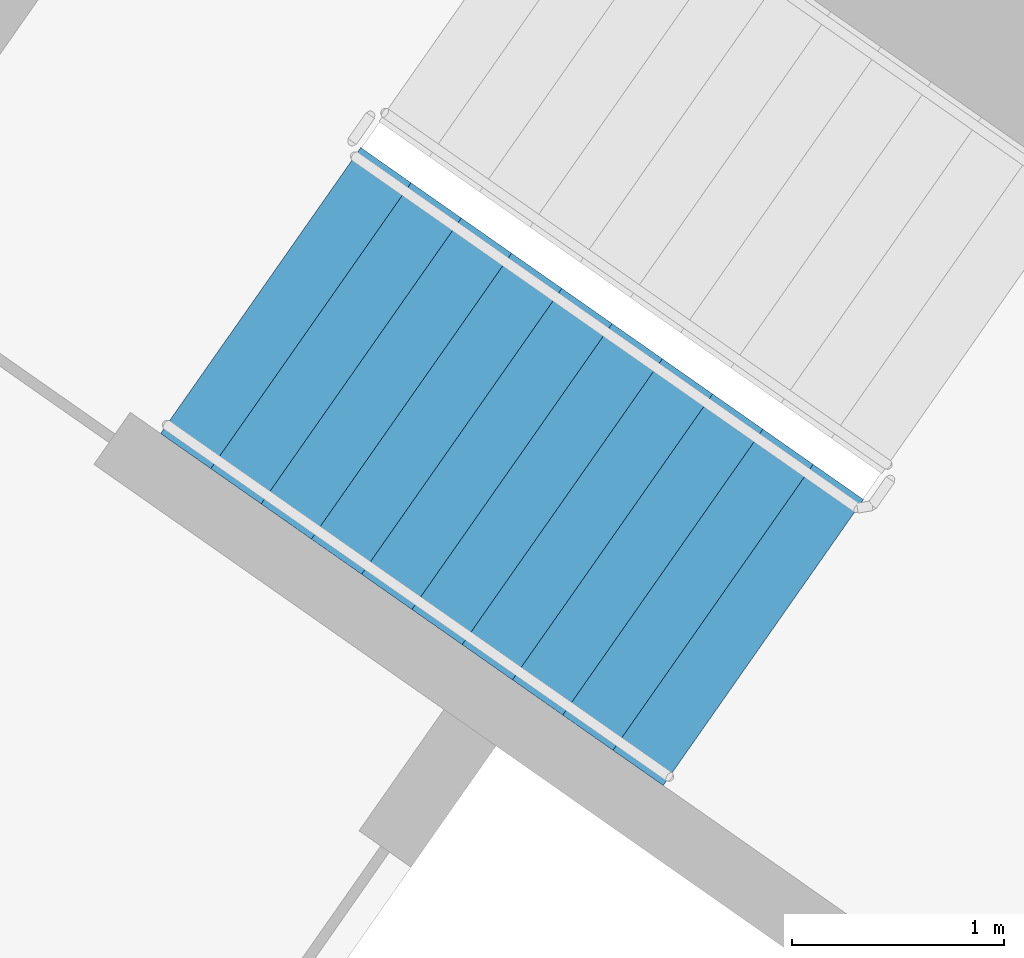
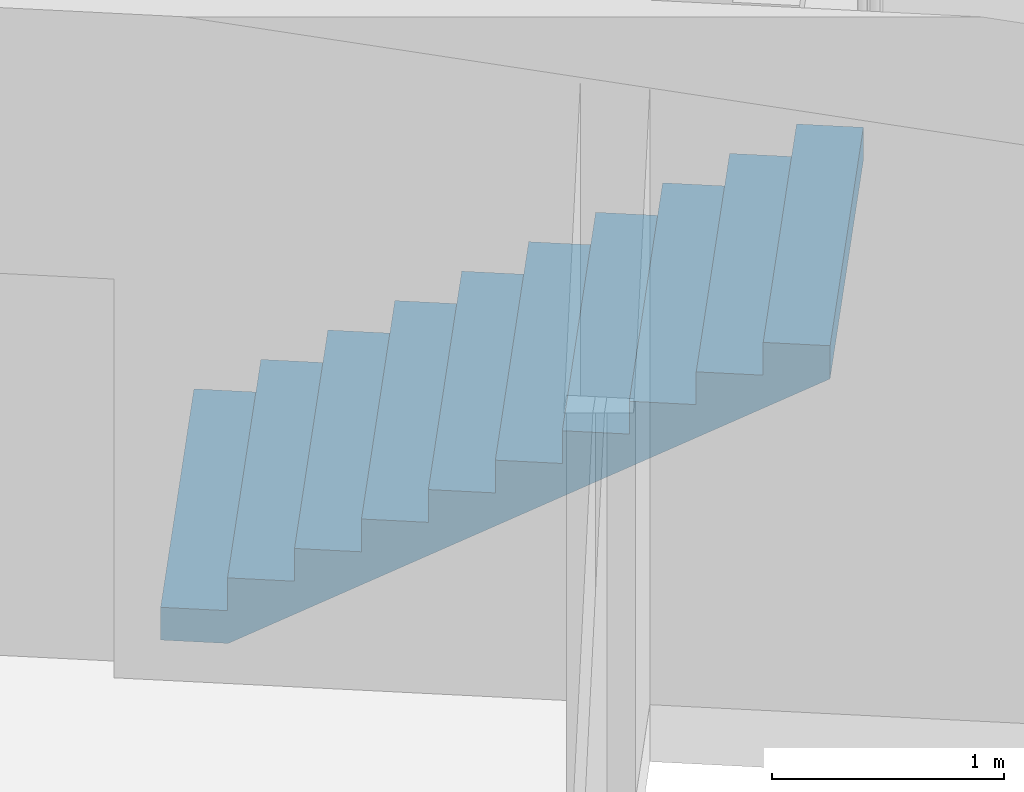
# One storey, part 11 of 28: 1 stair flight, 1 element without a shape of its own.
"""IFC4 building model written with IfcOpenShell, lengths in metres."""

from ifc_helpers import new_model, si_unit, direction, frame, origin, place, context, subcontext, project, spatial, faceted_brep, material, type_object, element, aggregate, save


model = new_model("IFC4")

# Units and contexts
model_context = context("Model", 3, precision=1e-05, world=origin(), true_north=direction((0.0, 1.0)))
body_context = subcontext(model_context, "Body", "Model", "MODEL_VIEW")
ifc_project = project(units=[si_unit("LENGTHUNIT", "METRE"), si_unit("AREAUNIT", "SQUARE_METRE"), si_unit("VOLUMEUNIT", "CUBIC_METRE"), si_unit("PLANEANGLEUNIT", "RADIAN"), si_unit("MASSUNIT", "GRAM", prefix="KILO")], contexts=[model_context])

# Site, building, storey
site_placement = place(None, origin())
site = spatial("IfcSite", under=ifc_project, at=site_placement, CompositionType="ELEMENT")
building_placement = place(site_placement, origin())
building = spatial("IfcBuilding", under=site, at=building_placement, Name="Qamariyya Broadcast Tower", CompositionType="ELEMENT")
storey_placement = place(building_placement, frame((0.0, 0.0, 245.5)))
storey = spatial("IfcBuildingStorey", under=building, at=storey_placement, Name="L59", CompositionType="ELEMENT", Elevation=245.5)

# Stair, stair flight
ifc_material = material(Name="Concrete C50/60", Category="concrete")
stair_type = type_object("IfcStairType", Name="Exit stair 22 risers of 173 mm", PredefinedType="HALF_TURN_STAIR", material=ifc_material)
stair_placement = place(storey_placement, origin())
stair = element("IfcStair", 1, at=stair_placement, inside=storey, type_object=stair_type, Name="L59 Stair W2", PredefinedType="HALF_TURN_STAIR")
stair_flight_type = type_object("IfcStairFlightType", Name="Exit stair flight 11 risers of 173 mm", PredefinedType="STRAIGHT", material=ifc_material)
stair_flight_placement = place(storey_placement, frame((-41.59130859375, -49.15966796875, 0.0), z_axis=(0.0, 0.0, 1.0), x_axis=(0.819152044289, -0.573576436351, 0.0)))
stair_flight = element("IfcStairFlight", 2, at=stair_flight_placement, type_object=stair_flight_type, Name="ST-W2 flight 1", NumberOfRisers=11, NumberOfTreads=10, PredefinedType="STRAIGHT", RiserHeight=0.172727273, TreadLength=0.29, context=body_context, shape_type="Brep", body=[
    faceted_brep([(0.0, 0.824951171875, 0.0), (0.0, 0.824951171875, 0.172607421875), (0.2900390625, 0.824951171875, 0.172607421875), (0.2900390625, 0.824951171875, 0.345458984375), (0.580078125, 0.824951171875, 0.345458984375), (0.580078125, 0.824951171875, 0.51806640625), (0.8701171875, 0.824951171875, 0.51806640625), (0.8701171875, 0.824951171875, 0.69091796875), (1.159912109375, 0.824951171875, 0.69091796875), (1.159912109375, 0.824951171875, 0.863525390625), (1.449951171875, 0.824951171875, 0.863525390625), (1.449951171875, 0.824951171875, 1.036376953125), (1.739990234375, 0.824951171875, 1.036376953125), (1.739990234375, 0.824951171875, 1.208984375), (2.030029296875, 0.824951171875, 1.208984375), (2.030029296875, 0.824951171875, 1.3818359375), (2.320068359375, 0.824951171875, 1.3818359375), (2.320068359375, 0.824951171875, 1.554443359375), (2.610107421875, 0.824951171875, 1.554443359375), (2.610107421875, 0.824951171875, 1.727294921875), (2.89990234375, 0.824951171875, 1.727294921875), (2.89990234375, 0.824951171875, 1.552734375), (0.29296875, 0.824951171875, 0.0), (0.29296875, -0.824951171875, 0.0), (2.89990234375, -0.824951171875, 1.552734375), (2.89990234375, -0.824951171875, 1.727294921875), (2.610107421875, -0.824951171875, 1.727294921875), (2.610107421875, -0.824951171875, 1.554443359375), (2.320068359375, -0.824951171875, 1.554443359375), (2.320068359375, -0.824951171875, 1.3818359375), (2.030029296875, -0.824951171875, 1.3818359375), (2.030029296875, -0.824951171875, 1.208984375), (1.739990234375, -0.824951171875, 1.208984375), (1.739990234375, -0.824951171875, 1.036376953125), (1.449951171875, -0.824951171875, 1.036376953125), (1.449951171875, -0.824951171875, 0.863525390625), (1.159912109375, -0.824951171875, 0.863525390625), (1.159912109375, -0.824951171875, 0.69091796875), (0.8701171875, -0.824951171875, 0.69091796875), (0.8701171875, -0.824951171875, 0.51806640625), (0.580078125, -0.824951171875, 0.51806640625), (0.580078125, -0.824951171875, 0.345458984375), (0.2900390625, -0.824951171875, 0.345458984375), (0.2900390625, -0.824951171875, 0.172607421875), (0.0, -0.824951171875, 0.172607421875), (0.0, -0.824951171875, 0.0), (0.0, 0.10009765625, 0.0), (0.0, 0.086669921875, 0.0), (0.0, 0.0732421875, 0.0), (0.0, 0.06005859375, 0.0), (0.0, 0.046630859375, 0.0), (0.0, 0.033447265625, 0.0), (0.0, 0.02001953125, 0.0), (0.0, 0.006591796875, 0.0), (0.0, -0.006591796875, 0.0), (0.0, -0.02001953125, 0.0), (0.0, -0.033447265625, 0.0), (0.0, -0.046630859375, 0.0), (0.0, -0.06005859375, 0.0), (0.0, -0.0732421875, 0.0), (0.0, -0.086669921875, 0.0), (0.0, -0.10009765625, 0.0), (0.0, -0.10009765625, 0.172607421875), (0.0, -0.086669921875, 0.172607421875), (0.0, -0.0732421875, 0.172607421875), (0.0, -0.06005859375, 0.172607421875), (0.0, -0.046630859375, 0.172607421875), (0.0, -0.033447265625, 0.172607421875), (0.0, -0.02001953125, 0.172607421875), (0.0, -0.006591796875, 0.172607421875), (0.0, 0.006591796875, 0.172607421875), (0.0, 0.02001953125, 0.172607421875), (0.0, 0.033447265625, 0.172607421875), (0.0, 0.046630859375, 0.172607421875), (0.0, 0.06005859375, 0.172607421875), (0.0, 0.0732421875, 0.172607421875), (0.0, 0.086669921875, 0.172607421875), (0.0, 0.10009765625, 0.172607421875), (0.2900390625, -0.10009765625, 0.172607421875), (0.2900390625, -0.086669921875, 0.172607421875), (0.2900390625, -0.0732421875, 0.172607421875), (0.2900390625, -0.06005859375, 0.172607421875), (0.2900390625, -0.046630859375, 0.172607421875), (0.2900390625, -0.033447265625, 0.172607421875), (0.2900390625, -0.02001953125, 0.172607421875), (0.2900390625, -0.006591796875, 0.172607421875), (0.2900390625, 0.006591796875, 0.172607421875), (0.2900390625, 0.02001953125, 0.172607421875), (0.2900390625, 0.033447265625, 0.172607421875), (0.2900390625, 0.046630859375, 0.172607421875), (0.2900390625, 0.06005859375, 0.172607421875), (0.2900390625, 0.0732421875, 0.172607421875), (0.2900390625, 0.086669921875, 0.172607421875), (0.2900390625, 0.10009765625, 0.172607421875), (0.2900390625, -0.10009765625, 0.345458984375), (0.2900390625, -0.086669921875, 0.345458984375), (0.2900390625, -0.0732421875, 0.345458984375), (0.2900390625, -0.06005859375, 0.345458984375), (0.2900390625, -0.046630859375, 0.345458984375), (0.2900390625, -0.033447265625, 0.345458984375), (0.2900390625, -0.02001953125, 0.345458984375), (0.2900390625, -0.006591796875, 0.345458984375), (0.2900390625, 0.006591796875, 0.345458984375), (0.2900390625, 0.02001953125, 0.345458984375), (0.2900390625, 0.033447265625, 0.345458984375), (0.2900390625, 0.046630859375, 0.345458984375), (0.2900390625, 0.06005859375, 0.345458984375), (0.2900390625, 0.0732421875, 0.345458984375), (0.2900390625, 0.086669921875, 0.345458984375), (0.2900390625, 0.10009765625, 0.345458984375), (0.580078125, -0.10009765625, 0.345458984375), (0.580078125, -0.086669921875, 0.345458984375), (0.580078125, -0.0732421875, 0.345458984375), (0.580078125, -0.06005859375, 0.345458984375), (0.580078125, -0.046630859375, 0.345458984375), (0.580078125, -0.033447265625, 0.345458984375), (0.580078125, -0.02001953125, 0.345458984375), (0.580078125, -0.006591796875, 0.345458984375), (0.580078125, 0.006591796875, 0.345458984375), (0.580078125, 0.02001953125, 0.345458984375), (0.580078125, 0.033447265625, 0.345458984375), (0.580078125, 0.046630859375, 0.345458984375), (0.580078125, 0.06005859375, 0.345458984375), (0.580078125, 0.0732421875, 0.345458984375), (0.580078125, 0.086669921875, 0.345458984375), (0.580078125, 0.10009765625, 0.345458984375), (0.580078125, -0.10009765625, 0.51806640625), (0.580078125, -0.086669921875, 0.51806640625), (0.580078125, -0.0732421875, 0.51806640625), (0.580078125, -0.06005859375, 0.51806640625), (0.580078125, -0.046630859375, 0.51806640625), (0.580078125, -0.033447265625, 0.51806640625), (0.580078125, -0.02001953125, 0.51806640625), (0.580078125, -0.006591796875, 0.51806640625), (0.580078125, 0.006591796875, 0.51806640625), (0.580078125, 0.02001953125, 0.51806640625), (0.580078125, 0.033447265625, 0.51806640625), (0.580078125, 0.046630859375, 0.51806640625), (0.580078125, 0.06005859375, 0.51806640625), (0.580078125, 0.0732421875, 0.51806640625), (0.580078125, 0.086669921875, 0.51806640625), (0.580078125, 0.10009765625, 0.51806640625), (0.8701171875, -0.10009765625, 0.51806640625), (0.8701171875, -0.086669921875, 0.51806640625), (0.8701171875, -0.0732421875, 0.51806640625), (0.8701171875, -0.06005859375, 0.51806640625), (0.8701171875, -0.046630859375, 0.51806640625), (0.8701171875, -0.033447265625, 0.51806640625), (0.8701171875, -0.02001953125, 0.51806640625), (0.8701171875, -0.006591796875, 0.51806640625), (0.8701171875, 0.006591796875, 0.51806640625), (0.8701171875, 0.02001953125, 0.51806640625), (0.8701171875, 0.033447265625, 0.51806640625), (0.8701171875, 0.046630859375, 0.51806640625), (0.8701171875, 0.06005859375, 0.51806640625), (0.8701171875, 0.0732421875, 0.51806640625), (0.8701171875, 0.086669921875, 0.51806640625), (0.8701171875, 0.10009765625, 0.51806640625), (0.8701171875, -0.10009765625, 0.69091796875), (0.8701171875, -0.086669921875, 0.69091796875), (0.8701171875, -0.0732421875, 0.69091796875), (0.8701171875, -0.06005859375, 0.69091796875), (0.8701171875, -0.046630859375, 0.69091796875), (0.8701171875, -0.033447265625, 0.69091796875), (0.8701171875, -0.02001953125, 0.69091796875), (0.8701171875, -0.006591796875, 0.69091796875), (0.8701171875, 0.006591796875, 0.69091796875), (0.8701171875, 0.02001953125, 0.69091796875), (0.8701171875, 0.033447265625, 0.69091796875), (0.8701171875, 0.046630859375, 0.69091796875), (0.8701171875, 0.06005859375, 0.69091796875), (0.8701171875, 0.0732421875, 0.69091796875), (0.8701171875, 0.086669921875, 0.69091796875), (0.8701171875, 0.10009765625, 0.69091796875), (1.159912109375, -0.10009765625, 0.69091796875), (1.159912109375, -0.086669921875, 0.69091796875), (1.159912109375, -0.0732421875, 0.69091796875), (1.159912109375, -0.06005859375, 0.69091796875), (1.159912109375, -0.046630859375, 0.69091796875), (1.159912109375, -0.033447265625, 0.69091796875), (1.159912109375, -0.02001953125, 0.69091796875), (1.159912109375, -0.006591796875, 0.69091796875), (1.159912109375, 0.006591796875, 0.69091796875), (1.159912109375, 0.02001953125, 0.69091796875), (1.159912109375, 0.033447265625, 0.69091796875), (1.159912109375, 0.046630859375, 0.69091796875), (1.159912109375, 0.06005859375, 0.69091796875), (1.159912109375, 0.0732421875, 0.69091796875), (1.159912109375, 0.086669921875, 0.69091796875), (1.159912109375, 0.10009765625, 0.69091796875), (1.159912109375, -0.10009765625, 0.863525390625), (1.159912109375, -0.086669921875, 0.863525390625), (1.159912109375, -0.0732421875, 0.863525390625), (1.159912109375, -0.06005859375, 0.863525390625), (1.159912109375, -0.046630859375, 0.863525390625), (1.159912109375, -0.033447265625, 0.863525390625), (1.159912109375, -0.02001953125, 0.863525390625), (1.159912109375, -0.006591796875, 0.863525390625), (1.159912109375, 0.006591796875, 0.863525390625), (1.159912109375, 0.02001953125, 0.863525390625), (1.159912109375, 0.033447265625, 0.863525390625), (1.159912109375, 0.046630859375, 0.863525390625), (1.159912109375, 0.06005859375, 0.863525390625), (1.159912109375, 0.0732421875, 0.863525390625), (1.159912109375, 0.086669921875, 0.863525390625), (1.159912109375, 0.10009765625, 0.863525390625), (1.449951171875, -0.10009765625, 0.863525390625), (1.449951171875, -0.086669921875, 0.863525390625), (1.449951171875, -0.0732421875, 0.863525390625), (1.449951171875, -0.06005859375, 0.863525390625), (1.449951171875, -0.046630859375, 0.863525390625), (1.449951171875, -0.033447265625, 0.863525390625), (1.449951171875, -0.02001953125, 0.863525390625), (1.449951171875, -0.006591796875, 0.863525390625), (1.449951171875, 0.006591796875, 0.863525390625), (1.449951171875, 0.02001953125, 0.863525390625), (1.449951171875, 0.033447265625, 0.863525390625), (1.449951171875, 0.046630859375, 0.863525390625), (1.449951171875, 0.06005859375, 0.863525390625), (1.449951171875, 0.0732421875, 0.863525390625), (1.449951171875, 0.086669921875, 0.863525390625), (1.449951171875, 0.10009765625, 0.863525390625), (1.449951171875, -0.10009765625, 1.036376953125), (1.449951171875, -0.086669921875, 1.036376953125), (1.449951171875, -0.0732421875, 1.036376953125), (1.449951171875, -0.06005859375, 1.036376953125), (1.449951171875, -0.046630859375, 1.036376953125), (1.449951171875, -0.033447265625, 1.036376953125), (1.449951171875, -0.02001953125, 1.036376953125), (1.449951171875, -0.006591796875, 1.036376953125), (1.449951171875, 0.006591796875, 1.036376953125), (1.449951171875, 0.02001953125, 1.036376953125), (1.449951171875, 0.033447265625, 1.036376953125), (1.449951171875, 0.046630859375, 1.036376953125), (1.449951171875, 0.06005859375, 1.036376953125), (1.449951171875, 0.0732421875, 1.036376953125), (1.449951171875, 0.086669921875, 1.036376953125), (1.449951171875, 0.10009765625, 1.036376953125), (1.739990234375, -0.10009765625, 1.036376953125), (1.739990234375, -0.086669921875, 1.036376953125), (1.739990234375, -0.0732421875, 1.036376953125), (1.739990234375, -0.06005859375, 1.036376953125), (1.739990234375, -0.046630859375, 1.036376953125), (1.739990234375, -0.033447265625, 1.036376953125), (1.739990234375, -0.02001953125, 1.036376953125), (1.739990234375, -0.006591796875, 1.036376953125), (1.739990234375, 0.006591796875, 1.036376953125), (1.739990234375, 0.02001953125, 1.036376953125), (1.739990234375, 0.033447265625, 1.036376953125), (1.739990234375, 0.046630859375, 1.036376953125), (1.739990234375, 0.06005859375, 1.036376953125), (1.739990234375, 0.0732421875, 1.036376953125), (1.739990234375, 0.086669921875, 1.036376953125), (1.739990234375, 0.10009765625, 1.036376953125), (1.739990234375, -0.10009765625, 1.208984375), (1.739990234375, -0.086669921875, 1.208984375), (1.739990234375, -0.0732421875, 1.208984375), (1.739990234375, -0.06005859375, 1.208984375), (1.739990234375, -0.046630859375, 1.208984375), (1.739990234375, -0.033447265625, 1.208984375), (1.739990234375, -0.02001953125, 1.208984375), (1.739990234375, -0.006591796875, 1.208984375), (1.739990234375, 0.006591796875, 1.208984375), (1.739990234375, 0.02001953125, 1.208984375), (1.739990234375, 0.033447265625, 1.208984375), (1.739990234375, 0.046630859375, 1.208984375), (1.739990234375, 0.06005859375, 1.208984375), (1.739990234375, 0.0732421875, 1.208984375), (1.739990234375, 0.086669921875, 1.208984375), (1.739990234375, 0.10009765625, 1.208984375), (2.030029296875, -0.10009765625, 1.208984375), (2.030029296875, -0.086669921875, 1.208984375), (2.030029296875, -0.0732421875, 1.208984375), (2.030029296875, -0.06005859375, 1.208984375), (2.030029296875, -0.046630859375, 1.208984375), (2.030029296875, -0.033447265625, 1.208984375), (2.030029296875, -0.02001953125, 1.208984375), (2.030029296875, -0.006591796875, 1.208984375), (2.030029296875, 0.006591796875, 1.208984375), (2.030029296875, 0.02001953125, 1.208984375), (2.030029296875, 0.033447265625, 1.208984375), (2.030029296875, 0.046630859375, 1.208984375), (2.030029296875, 0.06005859375, 1.208984375), (2.030029296875, 0.0732421875, 1.208984375), (2.030029296875, 0.086669921875, 1.208984375), (2.030029296875, 0.10009765625, 1.208984375), (2.030029296875, -0.10009765625, 1.3818359375), (2.030029296875, -0.086669921875, 1.3818359375), (2.030029296875, -0.0732421875, 1.3818359375), (2.030029296875, -0.06005859375, 1.3818359375), (2.030029296875, -0.046630859375, 1.3818359375), (2.030029296875, -0.033447265625, 1.3818359375), (2.030029296875, -0.02001953125, 1.3818359375), (2.030029296875, -0.006591796875, 1.3818359375), (2.030029296875, 0.006591796875, 1.3818359375), (2.030029296875, 0.02001953125, 1.3818359375), (2.030029296875, 0.033447265625, 1.3818359375), (2.030029296875, 0.046630859375, 1.3818359375), (2.030029296875, 0.06005859375, 1.3818359375), (2.030029296875, 0.0732421875, 1.3818359375), (2.030029296875, 0.086669921875, 1.3818359375), (2.030029296875, 0.10009765625, 1.3818359375), (2.320068359375, -0.10009765625, 1.3818359375), (2.320068359375, -0.086669921875, 1.3818359375), (2.320068359375, -0.0732421875, 1.3818359375), (2.320068359375, -0.06005859375, 1.3818359375), (2.320068359375, -0.046630859375, 1.3818359375), (2.320068359375, -0.033447265625, 1.3818359375), (2.320068359375, -0.02001953125, 1.3818359375), (2.320068359375, -0.006591796875, 1.3818359375), (2.320068359375, 0.006591796875, 1.3818359375), (2.320068359375, 0.02001953125, 1.3818359375), (2.320068359375, 0.033447265625, 1.3818359375), (2.320068359375, 0.046630859375, 1.3818359375), (2.320068359375, 0.06005859375, 1.3818359375), (2.320068359375, 0.0732421875, 1.3818359375), (2.320068359375, 0.086669921875, 1.3818359375), (2.320068359375, 0.10009765625, 1.3818359375), (2.320068359375, -0.10009765625, 1.554443359375), (2.320068359375, -0.086669921875, 1.554443359375), (2.320068359375, -0.0732421875, 1.554443359375), (2.320068359375, -0.06005859375, 1.554443359375), (2.320068359375, -0.046630859375, 1.554443359375), (2.320068359375, -0.033447265625, 1.554443359375), (2.320068359375, -0.02001953125, 1.554443359375), (2.320068359375, -0.006591796875, 1.554443359375), (2.320068359375, 0.006591796875, 1.554443359375), (2.320068359375, 0.02001953125, 1.554443359375), (2.320068359375, 0.033447265625, 1.554443359375), (2.320068359375, 0.046630859375, 1.554443359375), (2.320068359375, 0.06005859375, 1.554443359375), (2.320068359375, 0.0732421875, 1.554443359375), (2.320068359375, 0.086669921875, 1.554443359375), (2.320068359375, 0.10009765625, 1.554443359375), (2.610107421875, -0.10009765625, 1.554443359375), (2.610107421875, -0.086669921875, 1.554443359375), (2.610107421875, -0.0732421875, 1.554443359375), (2.610107421875, -0.06005859375, 1.554443359375), (2.610107421875, -0.046630859375, 1.554443359375), (2.610107421875, -0.033447265625, 1.554443359375), (2.610107421875, -0.02001953125, 1.554443359375), (2.610107421875, -0.006591796875, 1.554443359375), (2.610107421875, 0.006591796875, 1.554443359375), (2.610107421875, 0.02001953125, 1.554443359375), (2.610107421875, 0.033447265625, 1.554443359375), (2.610107421875, 0.046630859375, 1.554443359375), (2.610107421875, 0.06005859375, 1.554443359375), (2.610107421875, 0.0732421875, 1.554443359375), (2.610107421875, 0.086669921875, 1.554443359375), (2.610107421875, 0.10009765625, 1.554443359375), (2.610107421875, -0.10009765625, 1.727294921875), (2.610107421875, -0.086669921875, 1.727294921875), (2.610107421875, -0.0732421875, 1.727294921875), (2.610107421875, -0.06005859375, 1.727294921875), (2.610107421875, -0.046630859375, 1.727294921875), (2.610107421875, -0.033447265625, 1.727294921875), (2.610107421875, -0.02001953125, 1.727294921875), (2.610107421875, -0.006591796875, 1.727294921875), (2.610107421875, 0.006591796875, 1.727294921875), (2.610107421875, 0.02001953125, 1.727294921875), (2.610107421875, 0.033447265625, 1.727294921875), (2.610107421875, 0.046630859375, 1.727294921875), (2.610107421875, 0.06005859375, 1.727294921875), (2.610107421875, 0.0732421875, 1.727294921875), (2.610107421875, 0.086669921875, 1.727294921875), (2.610107421875, 0.10009765625, 1.727294921875), (2.89990234375, -0.10009765625, 1.727294921875), (2.89990234375, -0.086669921875, 1.727294921875), (2.89990234375, -0.0732421875, 1.727294921875), (2.89990234375, -0.06005859375, 1.727294921875), (2.89990234375, -0.046630859375, 1.727294921875), (2.89990234375, -0.033447265625, 1.727294921875), (2.89990234375, -0.02001953125, 1.727294921875), (2.89990234375, -0.006591796875, 1.727294921875), (2.89990234375, 0.006591796875, 1.727294921875), (2.89990234375, 0.02001953125, 1.727294921875), (2.89990234375, 0.033447265625, 1.727294921875), (2.89990234375, 0.046630859375, 1.727294921875), (2.89990234375, 0.06005859375, 1.727294921875), (2.89990234375, 0.0732421875, 1.727294921875), (2.89990234375, 0.086669921875, 1.727294921875), (2.89990234375, 0.10009765625, 1.727294921875), (2.89990234375, -0.10009765625, 1.552734375), (2.89990234375, -0.086669921875, 1.552734375), (2.89990234375, -0.0732421875, 1.552734375), (2.89990234375, -0.06005859375, 1.552734375), (2.89990234375, -0.046630859375, 1.552734375), (2.89990234375, -0.033447265625, 1.552734375), (2.89990234375, -0.02001953125, 1.552734375), (2.89990234375, -0.006591796875, 1.552734375), (2.89990234375, 0.006591796875, 1.552734375), (2.89990234375, 0.02001953125, 1.552734375), (2.89990234375, 0.033447265625, 1.552734375), (2.89990234375, 0.046630859375, 1.552734375), (2.89990234375, 0.06005859375, 1.552734375), (2.89990234375, 0.0732421875, 1.552734375), (2.89990234375, 0.086669921875, 1.552734375), (2.89990234375, 0.10009765625, 1.552734375), (0.29296875, -0.10009765625, 0.0), (0.29296875, -0.086669921875, 0.0), (0.29296875, -0.0732421875, 0.0), (0.29296875, -0.06005859375, 0.0), (0.29296875, -0.046630859375, 0.0), (0.29296875, -0.033447265625, 0.0), (0.29296875, -0.02001953125, 0.0), (0.29296875, -0.006591796875, 0.0), (0.29296875, 0.006591796875, 0.0), (0.29296875, 0.02001953125, 0.0), (0.29296875, 0.033447265625, 0.0), (0.29296875, 0.046630859375, 0.0), (0.29296875, 0.06005859375, 0.0), (0.29296875, 0.0732421875, 0.0), (0.29296875, 0.086669921875, 0.0), (0.29296875, 0.10009765625, 0.0)], [[[0, 1, 2, 3, 4, 5, 6, 7, 8, 9, 10, 11, 12, 13, 14, 15, 16, 17, 18, 19, 20, 21, 22]], [[23, 24, 25, 26, 27, 28, 29, 30, 31, 32, 33, 34, 35, 36, 37, 38, 39, 40, 41, 42, 43, 44, 45]], [[0, 46, 47, 48, 49, 50, 51, 52, 53, 54, 55, 56, 57, 58, 59, 60, 61, 45, 44, 62, 63, 64, 65, 66, 67, 68, 69, 70, 71, 72, 73, 74, 75, 76, 77, 1]], [[1, 77, 76, 75, 74, 73, 72, 71, 70, 69, 68, 67, 66, 65, 64, 63, 62, 44, 43, 78, 79, 80, 81, 82, 83, 84, 85, 86, 87, 88, 89, 90, 91, 92, 93, 2]], [[2, 93, 92, 91, 90, 89, 88, 87, 86, 85, 84, 83, 82, 81, 80, 79, 78, 43, 42, 94, 95, 96, 97, 98, 99, 100, 101, 102, 103, 104, 105, 106, 107, 108, 109, 3]], [[3, 109, 108, 107, 106, 105, 104, 103, 102, 101, 100, 99, 98, 97, 96, 95, 94, 42, 41, 110, 111, 112, 113, 114, 115, 116, 117, 118, 119, 120, 121, 122, 123, 124, 125, 4]], [[4, 125, 124, 123, 122, 121, 120, 119, 118, 117, 116, 115, 114, 113, 112, 111, 110, 41, 40, 126, 127, 128, 129, 130, 131, 132, 133, 134, 135, 136, 137, 138, 139, 140, 141, 5]], [[5, 141, 140, 139, 138, 137, 136, 135, 134, 133, 132, 131, 130, 129, 128, 127, 126, 40, 39, 142, 143, 144, 145, 146, 147, 148, 149, 150, 151, 152, 153, 154, 155, 156, 157, 6]], [[6, 157, 156, 155, 154, 153, 152, 151, 150, 149, 148, 147, 146, 145, 144, 143, 142, 39, 38, 158, 159, 160, 161, 162, 163, 164, 165, 166, 167, 168, 169, 170, 171, 172, 173, 7]], [[7, 173, 172, 171, 170, 169, 168, 167, 166, 165, 164, 163, 162, 161, 160, 159, 158, 38, 37, 174, 175, 176, 177, 178, 179, 180, 181, 182, 183, 184, 185, 186, 187, 188, 189, 8]], [[8, 189, 188, 187, 186, 185, 184, 183, 182, 181, 180, 179, 178, 177, 176, 175, 174, 37, 36, 190, 191, 192, 193, 194, 195, 196, 197, 198, 199, 200, 201, 202, 203, 204, 205, 9]], [[9, 205, 204, 203, 202, 201, 200, 199, 198, 197, 196, 195, 194, 193, 192, 191, 190, 36, 35, 206, 207, 208, 209, 210, 211, 212, 213, 214, 215, 216, 217, 218, 219, 220, 221, 10]], [[10, 221, 220, 219, 218, 217, 216, 215, 214, 213, 212, 211, 210, 209, 208, 207, 206, 35, 34, 222, 223, 224, 225, 226, 227, 228, 229, 230, 231, 232, 233, 234, 235, 236, 237, 11]], [[11, 237, 236, 235, 234, 233, 232, 231, 230, 229, 228, 227, 226, 225, 224, 223, 222, 34, 33, 238, 239, 240, 241, 242, 243, 244, 245, 246, 247, 248, 249, 250, 251, 252, 253, 12]], [[12, 253, 252, 251, 250, 249, 248, 247, 246, 245, 244, 243, 242, 241, 240, 239, 238, 33, 32, 254, 255, 256, 257, 258, 259, 260, 261, 262, 263, 264, 265, 266, 267, 268, 269, 13]], [[13, 269, 268, 267, 266, 265, 264, 263, 262, 261, 260, 259, 258, 257, 256, 255, 254, 32, 31, 270, 271, 272, 273, 274, 275, 276, 277, 278, 279, 280, 281, 282, 283, 284, 285, 14]], [[14, 285, 284, 283, 282, 281, 280, 279, 278, 277, 276, 275, 274, 273, 272, 271, 270, 31, 30, 286, 287, 288, 289, 290, 291, 292, 293, 294, 295, 296, 297, 298, 299, 300, 301, 15]], [[15, 301, 300, 299, 298, 297, 296, 295, 294, 293, 292, 291, 290, 289, 288, 287, 286, 30, 29, 302, 303, 304, 305, 306, 307, 308, 309, 310, 311, 312, 313, 314, 315, 316, 317, 16]], [[16, 317, 316, 315, 314, 313, 312, 311, 310, 309, 308, 307, 306, 305, 304, 303, 302, 29, 28, 318, 319, 320, 321, 322, 323, 324, 325, 326, 327, 328, 329, 330, 331, 332, 333, 17]], [[17, 333, 332, 331, 330, 329, 328, 327, 326, 325, 324, 323, 322, 321, 320, 319, 318, 28, 27, 334, 335, 336, 337, 338, 339, 340, 341, 342, 343, 344, 345, 346, 347, 348, 349, 18]], [[18, 349, 348, 347, 346, 345, 344, 343, 342, 341, 340, 339, 338, 337, 336, 335, 334, 27, 26, 350, 351, 352, 353, 354, 355, 356, 357, 358, 359, 360, 361, 362, 363, 364, 365, 19]], [[19, 365, 364, 363, 362, 361, 360, 359, 358, 357, 356, 355, 354, 353, 352, 351, 350, 26, 25, 366, 367, 368, 369, 370, 371, 372, 373, 374, 375, 376, 377, 378, 379, 380, 381, 20]], [[20, 381, 380, 379, 378, 377, 376, 375, 374, 373, 372, 371, 370, 369, 368, 367, 366, 25, 24, 382, 383, 384, 385, 386, 387, 388, 389, 390, 391, 392, 393, 394, 395, 396, 397, 21]], [[21, 397, 396, 395, 394, 393, 392, 391, 390, 389, 388, 387, 386, 385, 384, 383, 382, 24, 23, 398, 399, 400, 401, 402, 403, 404, 405, 406, 407, 408, 409, 410, 411, 412, 413, 22]], [[22, 413, 412, 411, 410, 409, 408, 407, 406, 405, 404, 403, 402, 401, 400, 399, 398, 23, 45, 61, 60, 59, 58, 57, 56, 55, 54, 53, 52, 51, 50, 49, 48, 47, 46, 0]]]),
])
aggregate(stair, [stair_flight])

save(model, "model.ifc")
